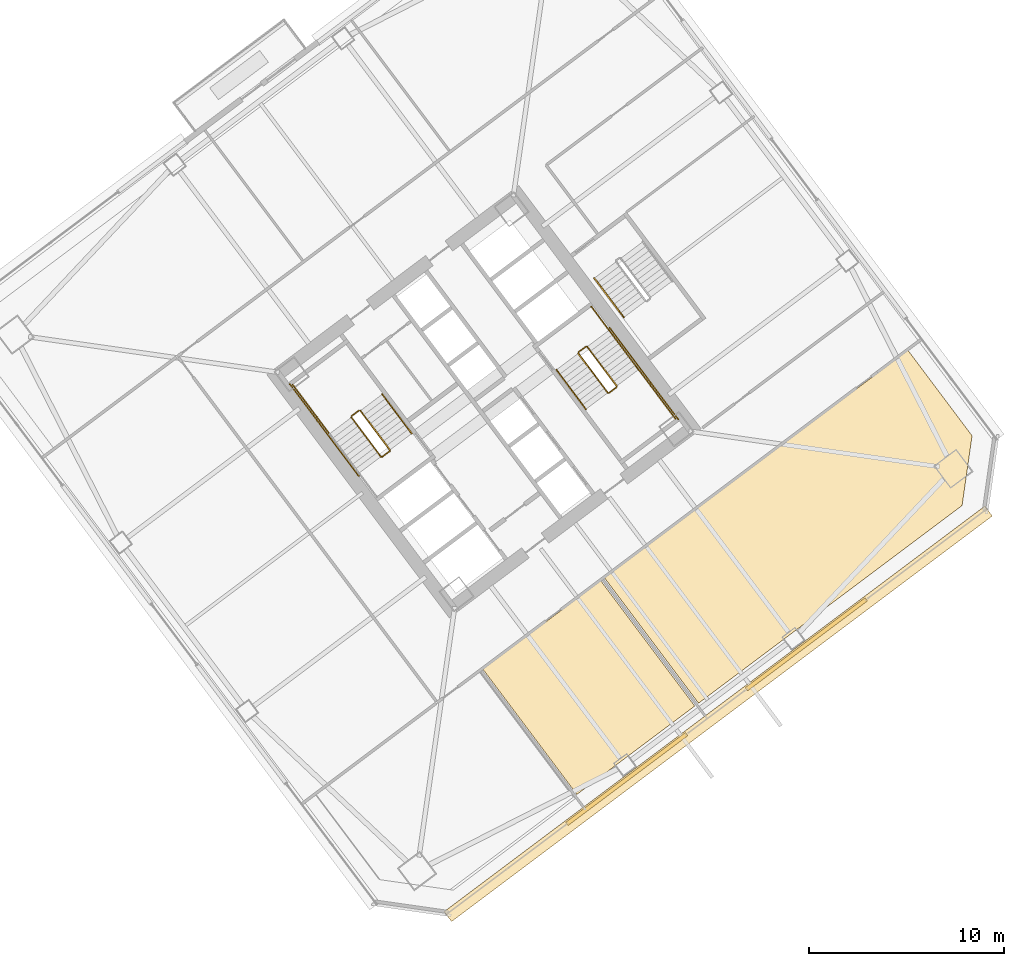
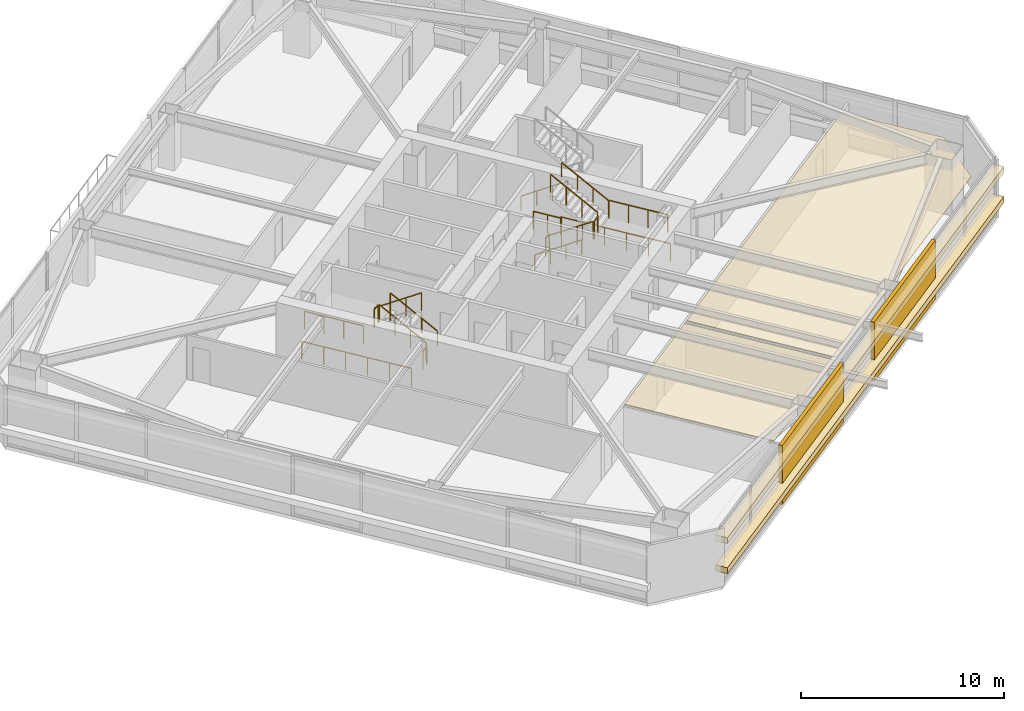
# One storey, part 41 of 44: 17 railings, 6 coverings.
"""IFC4 building model written with IfcOpenShell, lengths in metres."""

from ifc_helpers import new_model, si_unit, direction, frame, origin, origin_2d, place, context, subcontext, project, spatial, polyline, rectangle, outline, extrude, material, layer, layer_set, type_object, element, save


model = new_model("IFC4")

# Units and contexts
model_context = context("Model", 3, precision=1e-05, world=origin(), true_north=direction((0.0, 1.0)))
body_context = subcontext(model_context, "Body", "Model", "MODEL_VIEW")
ifc_project = project(units=[si_unit("LENGTHUNIT", "METRE"), si_unit("AREAUNIT", "SQUARE_METRE"), si_unit("VOLUMEUNIT", "CUBIC_METRE"), si_unit("PLANEANGLEUNIT", "RADIAN"), si_unit("MASSUNIT", "GRAM", prefix="KILO")], contexts=[model_context])

# Site, building, storey
site_placement = place(None, origin())
site = spatial("IfcSite", under=ifc_project, at=site_placement, CompositionType="ELEMENT")
building_placement = place(site_placement, origin())
building = spatial("IfcBuilding", under=site, at=building_placement, Name="Tashvorn Skyway Center", CompositionType="ELEMENT")
storey_placement = place(building_placement, frame((0.0, 0.0, 95.60009765625)))
storey = spatial("IfcBuildingStorey", under=building, at=storey_placement, Name="L25", CompositionType="ELEMENT", Elevation=95.60009765625)

# Coverings
ifc_material_1 = material(Name="Precast concrete C40/50", Category="concrete")
ifc_layer_1 = layer(ifc_material_1, 0.199951171875)
ifc_layer_set_1 = layer_set([ifc_layer_1], Name="Precast concrete C40/50")
covering_type_1 = type_object("IfcCoveringType", Name="COV-BRACE-CLAD", PredefinedType="CLADDING", material=ifc_layer_set_1)
for number, where, z_axis, x_axis, name in (
    (1, (130.535888671875, 19.552001953125, 0.0), (0.0, 0.0, 1.0), (-0.799999996291, -0.600000004945, 0.0), "Tower 2 L25 South Unitised Curtain Wall Mega-Brace Cladding Band 1"),
    (2, (121.320068359375, 12.639892578125, 0.0), (0.0, 0.0, 1.0), (-0.799999996291, -0.600000004945, 0.0), "Tower 2 L25 South Unitised Curtain Wall Mega-Brace Cladding Band 2"),
):
    element("IfcCovering", number, at=place(storey_placement, frame(where, z_axis=z_axis, x_axis=x_axis)), inside=storey, type_object=covering_type_1, Name=name, PredefinedType="CLADDING", context=body_context, shape_type="SweptSolid", body=[
        extrude(rectangle(XDim=7.679931640625, YDim=0.199951171875, at=origin_2d()), origin(), (0.0, 0.0, 1.0), 3.550048828125),
    ])
ifc_material_2 = material(Name="Mineral-fibre acoustic ceiling tile on suspended grid")
ifc_layer_2 = layer(ifc_material_2, 0.02001953125)
ifc_layer_set_2 = layer_set([ifc_layer_2], Name="Mineral-fibre acoustic ceiling tile on suspended grid")
covering_type_2 = type_object("IfcCoveringType", Name="COV-CEIL-20", PredefinedType="CEILING", material=ifc_layer_set_2)
covering_1_placement = place(storey_placement, frame((0.0, 0.0, 2.682861328125)))
element("IfcCovering", 3, at=covering_1_placement, inside=storey, type_object=covering_type_2, Name="Tower 2 L25 Boardroom Acoustic Ceiling", PredefinedType="CEILING", context=body_context, shape_type="SweptSolid", body=[
    extrude(outline(polyline([(113.93994140625, 18.280029296875), (119.988037109375, 22.81591796875), (124.81201171875, 16.384033203125), (118.763916015625, 11.847900390625), (113.93994140625, 18.280029296875)])), origin(), (0.0, 0.0, 1.0), 0.02001953125),
])
covering_2_placement = place(storey_placement, frame((0.0, 0.0, 2.682861328125)))
element("IfcCovering", 4, at=covering_2_placement, inside=storey, type_object=covering_type_2, Name="Tower 2 L25 Boardroom Acoustic Ceiling", PredefinedType="CEILING", context=body_context, shape_type="SweptSolid", body=[
    extrude(outline(polyline([(125.00390625, 16.528076171875), (120.179931640625, 22.9599609375), (135.748046875, 34.635986328125), (139.035888671875, 30.251953125), (138.52392578125, 26.66796875), (125.00390625, 16.528076171875)])), origin(), (0.0, 0.0, 1.0), 0.02001953125),
])
ifc_material_3 = material(Name="Perforated ceramic-coated bronze aluminium solar screen", Category="aluminium")
ifc_layer_3 = layer(ifc_material_3, 0.85009765625)
ifc_layer_set_3 = layer_set([ifc_layer_3], Name="Perforated ceramic-coated bronze aluminium solar screen")
covering_type_3 = type_object("IfcCoveringType", Name="COV-SOLAR-BAND", PredefinedType="CLADDING", material=ifc_layer_set_3)
for number, where, z_axis, x_axis, name in (
    (5, (126.011962890625, 15.98388671875, 0.919921875), (0.0, 0.0, 1.0), (-0.799999996291, -0.600000004945, 0.0), "L25 Perforated Ceramic-Metal Solar Screen Louvre Band South 1"),
    (6, (126.011962890625, 15.98388671875, 2.7197265625), (0.0, 0.0, 1.0), (-0.799999996291, -0.600000004945, 0.0), "L25 Perforated Ceramic-Metal Solar Screen Louvre Band South 2"),
):
    element("IfcCovering", number, at=place(storey_placement, frame(where, z_axis=z_axis, x_axis=x_axis)), inside=storey, type_object=covering_type_3, Name=name, PredefinedType="CLADDING", context=body_context, shape_type="SweptSolid", body=[
        extrude(rectangle(XDim=34.679931640625, YDim=0.639892578125, at=origin_2d()), origin(), (0.0, 0.0, 1.0), 0.360107421875),
    ])

# Railings
ifc_material_4 = material(Name="Brushed stainless steel 316", Category="steel")
railing_type_1 = type_object("IfcRailingType", Name="RAIL-HAND-920", PredefinedType="HANDRAIL", material=ifc_material_4)
railing_1_placement = place(storey_placement, frame((110.2880859375, 30.365966796875, 0.177490234375)))
element("IfcRailing", 7, at=railing_1_placement, inside=storey, type_object=railing_type_1, Name="L25 ST-T2-1 stair handrail 1", PredefinedType="HANDRAIL", context=body_context, shape_type="SweptSolid", body=[
    extrude(rectangle(XDim=0.048095703125, YDim=0.048095703125, at=origin_2d()), frame((0.0, 0.0, 0.8759765625), z_axis=(-0.506801609611, 0.675680931896, 0.535357270211), x_axis=(-0.799976749893, -0.600030998891, 0.0)), (0.0, 0.0, 1.0), 2.98388671875),
    extrude(rectangle(XDim=0.0419921875, YDim=0.0419921875, at=origin_2d()), origin(), (0.0, 0.0, 1.0), 0.851806640625),
    extrude(rectangle(XDim=0.0419921875, YDim=0.0419921875, at=origin_2d()), frame((-0.504150390625, 0.672119140625, 0.532470703125)), (0.0, 0.0, 1.0), 0.851806640625),
    extrude(rectangle(XDim=0.0419921875, YDim=0.0419921875, at=origin_2d()), frame((-1.008056640625, 1.343994140625, 1.06494140625)), (0.0, 0.0, 1.0), 0.851806640625),
    extrude(rectangle(XDim=0.0419921875, YDim=0.0419921875, at=origin_2d()), frame((-1.51220703125, 2.01611328125, 1.597412109375)), (0.0, 0.0, 1.0), 0.851806640625),
])
railing_2_placement = place(storey_placement, frame((117.7119140625, 33.634033203125, 0.177490234375)))
element("IfcRailing", 8, at=railing_2_placement, inside=storey, type_object=railing_type_1, Name="L25 ST-T2-2 stair handrail 1", PredefinedType="HANDRAIL", context=body_context, shape_type="SweptSolid", body=[
    extrude(rectangle(XDim=0.048095703125, YDim=0.048095703125, at=origin_2d()), frame((0.0, 0.0, 0.8759765625), z_axis=(0.506801609611, -0.675680931896, 0.535357270211), x_axis=(0.799976749893, 0.600030998891, 0.0)), (0.0, 0.0, 1.0), 2.98388671875),
    extrude(rectangle(XDim=0.0419921875, YDim=0.0419921875, at=origin_2d()), origin(), (0.0, 0.0, 1.0), 0.851806640625),
    extrude(rectangle(XDim=0.0419921875, YDim=0.0419921875, at=origin_2d()), frame((0.504150390625, -0.672119140625, 0.532470703125)), (0.0, 0.0, 1.0), 0.851806640625),
    extrude(rectangle(XDim=0.0419921875, YDim=0.0419921875, at=origin_2d()), frame((1.008056640625, -1.343994140625, 1.06494140625)), (0.0, 0.0, 1.0), 0.851806640625),
    extrude(rectangle(XDim=0.0419921875, YDim=0.0419921875, at=origin_2d()), frame((1.51220703125, -2.01611328125, 1.597412109375)), (0.0, 0.0, 1.0), 0.851806640625),
])
railing_3_placement = place(storey_placement, frame((121.927978515625, 33.64599609375, 1.952392578125)))
element("IfcRailing", 9, at=railing_3_placement, inside=storey, type_object=railing_type_1, Name="L25 ST-T2-2 stair handrail 2", PredefinedType="HANDRAIL", context=body_context, shape_type="SweptSolid", body=[
    extrude(rectangle(XDim=0.048095703125, YDim=0.048095703125, at=origin_2d()), frame((0.0, 0.0, 0.8759765625), z_axis=(-0.506740800098, 0.675708949977, 0.535379469569), x_axis=(-0.800023250257, -0.599968998406, 0.0)), (0.0, 0.0, 1.0), 2.983642578125),
    extrude(rectangle(XDim=0.0419921875, YDim=0.0419921875, at=origin_2d()), origin(), (0.0, 0.0, 1.0), 0.851806640625),
    extrude(rectangle(XDim=0.0419921875, YDim=0.0419921875, at=origin_2d()), frame((-0.50390625, 0.672119140625, 0.532470703125)), (0.0, 0.0, 1.0), 0.851806640625),
    extrude(rectangle(XDim=0.0419921875, YDim=0.0419921875, at=origin_2d()), frame((-1.008056640625, 1.343994140625, 1.06494140625)), (0.0, 0.0, 1.0), 0.851806640625),
    extrude(rectangle(XDim=0.0419921875, YDim=0.0419921875, at=origin_2d()), frame((-1.511962890625, 2.01611328125, 1.597412109375)), (0.0, 0.0, 1.0), 0.851806640625),
])
railing_4_placement = place(storey_placement, frame((119.656005859375, 38.342041015625, 0.177490234375)))
element("IfcRailing", 10, at=railing_4_placement, inside=storey, type_object=railing_type_1, Name="L25 ST-T2-3 stair handrail 1", PredefinedType="HANDRAIL", context=body_context, shape_type="SweptSolid", body=[
    extrude(rectangle(XDim=0.048095703125, YDim=0.048095703125, at=origin_2d()), frame((0.0, 0.0, 0.8759765625), z_axis=(0.506740800098, -0.675708949977, 0.535379469569), x_axis=(0.800023250257, 0.599968998406, 0.0)), (0.0, 0.0, 1.0), 2.983642578125),
    extrude(rectangle(XDim=0.0419921875, YDim=0.0419921875, at=origin_2d()), origin(), (0.0, 0.0, 1.0), 0.851806640625),
    extrude(rectangle(XDim=0.0419921875, YDim=0.0419921875, at=origin_2d()), frame((0.50390625, -0.672119140625, 0.532470703125)), (0.0, 0.0, 1.0), 0.851806640625),
    extrude(rectangle(XDim=0.0419921875, YDim=0.0419921875, at=origin_2d()), frame((1.008056640625, -1.343994140625, 1.06494140625)), (0.0, 0.0, 1.0), 0.851806640625),
    extrude(rectangle(XDim=0.0419921875, YDim=0.0419921875, at=origin_2d()), frame((1.511962890625, -2.01611328125, 1.597412109375)), (0.0, 0.0, 1.0), 0.851806640625),
])
ifc_material_5 = material(Name="Painted galvanized steel S355", Category="steel")
railing_type_2 = type_object("IfcRailingType", Name="RAIL-STGUARD-1100", PredefinedType="GUARDRAIL", material=ifc_material_5)
railing_5_placement = place(storey_placement, frame((109.16796875, 29.52587890625, 0.177490234375)))
element("IfcRailing", 11, at=railing_5_placement, inside=storey, type_object=railing_type_2, Name="L25 ST-T2-1 stair guard 1", PredefinedType="GUARDRAIL", context=body_context, shape_type="SweptSolid", body=[
    extrude(rectangle(XDim=0.048095703125, YDim=0.048095703125, at=origin_2d()), frame((0.0, 0.0, 1.076171875), z_axis=(-0.506740800098, 0.675708949977, 0.535379469569), x_axis=(-0.800023250257, -0.599968998406, 0.0)), (0.0, 0.0, 1.0), 2.983642578125),
    extrude(rectangle(XDim=0.0419921875, YDim=0.0419921875, at=origin_2d()), origin(), (0.0, 0.0, 1.0), 1.052001953125),
    extrude(rectangle(XDim=0.0419921875, YDim=0.0419921875, at=origin_2d()), frame((-0.50390625, 0.672119140625, 0.532470703125)), (0.0, 0.0, 1.0), 1.052001953125),
    extrude(rectangle(XDim=0.0419921875, YDim=0.0419921875, at=origin_2d()), frame((-1.008056640625, 1.343994140625, 1.06494140625)), (0.0, 0.0, 1.0), 1.052001953125),
    extrude(rectangle(XDim=0.0419921875, YDim=0.0419921875, at=origin_2d()), frame((-1.511962890625, 2.01611328125, 1.597412109375)), (0.0, 0.0, 1.0), 1.052001953125),
])
railing_6_placement = place(storey_placement, frame((107.5859375, 31.552001953125, 1.77490234375)))
element("IfcRailing", 12, at=railing_6_placement, inside=storey, type_object=railing_type_2, Name="L25 ST-T2-1 stair guard 2", PredefinedType="GUARDRAIL", context=body_context, shape_type="SweptSolid", body=[
    extrude(rectangle(XDim=0.048095703125, YDim=0.048095703125, at=origin_2d()), frame((0.0, 0.0, 1.076171875), z_axis=(-0.799938970639, -0.600081363861, 0.0), x_axis=(0.600081363861, -0.799938970639, 0.0)), (0.0, 0.0, 1.0), 0.47998046875),
    extrude(rectangle(XDim=0.0419921875, YDim=0.0419921875, at=origin_2d()), origin(), (0.0, 0.0, 1.0), 1.052001953125),
    extrude(rectangle(XDim=0.0419921875, YDim=0.0419921875, at=origin_2d()), frame((-0.384033203125, -0.2880859375, 0.0)), (0.0, 0.0, 1.0), 1.052001953125),
])
railing_7_placement = place(storey_placement, frame((106.072021484375, 30.35400390625, 1.77490234375)))
element("IfcRailing", 13, at=railing_7_placement, inside=storey, type_object=railing_type_2, Name="L25 ST-T2-1 stair guard 3", PredefinedType="GUARDRAIL", context=body_context, shape_type="SweptSolid", body=[
    extrude(rectangle(XDim=0.048095703125, YDim=0.048095703125, at=origin_2d()), frame((0.0, 0.0, 1.076171875), z_axis=(-0.599987638607, 0.800009270896, 0.0), x_axis=(-0.800009270896, -0.599987638607, 0.0)), (0.0, 0.0, 1.0), 3.16015625),
    extrude(rectangle(XDim=0.0419921875, YDim=0.0419921875, at=origin_2d()), origin(), (0.0, 0.0, 1.0), 1.052001953125),
    extrude(rectangle(XDim=0.0419921875, YDim=0.0419921875, at=origin_2d()), frame((-0.632080078125, 0.8427734375, 0.0)), (0.0, 0.0, 1.0), 1.052001953125),
    extrude(rectangle(XDim=0.0419921875, YDim=0.0419921875, at=origin_2d()), frame((-1.263916015625, 1.685302734375, 0.0)), (0.0, 0.0, 1.0), 1.052001953125),
    extrude(rectangle(XDim=0.0419921875, YDim=0.0419921875, at=origin_2d()), frame((-1.89599609375, 2.528076171875, 0.0)), (0.0, 0.0, 1.0), 1.052001953125),
])
railing_8_placement = place(storey_placement, frame((107.19189453125, 31.194091796875, 1.952392578125)))
element("IfcRailing", 14, at=railing_8_placement, inside=storey, type_object=railing_type_2, Name="L25 ST-T2-1 stair guard 4", PredefinedType="GUARDRAIL", context=body_context, shape_type="SweptSolid", body=[
    extrude(rectangle(XDim=0.048095703125, YDim=0.048095703125, at=origin_2d()), frame((0.0, 0.0, 1.076171875), z_axis=(0.506801609611, -0.675680931896, 0.535357270211), x_axis=(0.799976749893, 0.600030998891, 0.0)), (0.0, 0.0, 1.0), 2.98388671875),
    extrude(rectangle(XDim=0.0419921875, YDim=0.0419921875, at=origin_2d()), origin(), (0.0, 0.0, 1.0), 1.052001953125),
    extrude(rectangle(XDim=0.0419921875, YDim=0.0419921875, at=origin_2d()), frame((0.504150390625, -0.672119140625, 0.532470703125)), (0.0, 0.0, 1.0), 1.052001953125),
    extrude(rectangle(XDim=0.0419921875, YDim=0.0419921875, at=origin_2d()), frame((1.008056640625, -1.343994140625, 1.06494140625)), (0.0, 0.0, 1.0), 1.052001953125),
    extrude(rectangle(XDim=0.0419921875, YDim=0.0419921875, at=origin_2d()), frame((1.51220703125, -2.01611328125, 1.597412109375)), (0.0, 0.0, 1.0), 1.052001953125),
])
railing_9_placement = place(storey_placement, frame((109.157958984375, 29.4560546875, 0.0)))
element("IfcRailing", 15, at=railing_9_placement, inside=storey, type_object=railing_type_2, Name="L25 ST-T2-1 stair guard 5", PredefinedType="GUARDRAIL", context=body_context, shape_type="SweptSolid", body=[
    extrude(rectangle(XDim=0.048095703125, YDim=0.048095703125, at=origin_2d()), frame((0.0, 0.0, 1.076171875), z_axis=(-0.799938970639, -0.600081363861, 0.0), x_axis=(0.600081363861, -0.799938970639, 0.0)), (0.0, 0.0, 1.0), 0.47998046875),
    extrude(rectangle(XDim=0.0419921875, YDim=0.0419921875, at=origin_2d()), origin(), (0.0, 0.0, 1.0), 1.052001953125),
    extrude(rectangle(XDim=0.0419921875, YDim=0.0419921875, at=origin_2d()), frame((-0.384033203125, -0.2880859375, 0.0)), (0.0, 0.0, 1.0), 1.052001953125),
])
railing_10_placement = place(storey_placement, frame((107.56396484375, 28.197998046875, 0.0)))
element("IfcRailing", 16, at=railing_10_placement, inside=storey, type_object=railing_type_2, Name="L25 ST-T2-1 stair guard 7", PredefinedType="GUARDRAIL", context=body_context, shape_type="SweptSolid", body=[
    extrude(rectangle(XDim=0.048095703125, YDim=0.048095703125, at=origin_2d()), frame((0.0, 0.0, 1.076171875), z_axis=(-0.6, 0.8, 0.0), x_axis=(-0.8, -0.6, 0.0)), (0.0, 0.0, 1.0), 5.880126953125),
    extrude(rectangle(XDim=0.0419921875, YDim=0.0419921875, at=origin_2d()), origin(), (0.0, 0.0, 1.0), 1.052001953125),
    extrude(rectangle(XDim=0.0419921875, YDim=0.0419921875, at=origin_2d()), frame((-0.70556640625, 0.94091796875, 0.0)), (0.0, 0.0, 1.0), 1.052001953125),
    extrude(rectangle(XDim=0.0419921875, YDim=0.0419921875, at=origin_2d()), frame((-1.4111328125, 1.881591796875, 0.0)), (0.0, 0.0, 1.0), 1.052001953125),
    extrude(rectangle(XDim=0.0419921875, YDim=0.0419921875, at=origin_2d()), frame((-2.116943359375, 2.822509765625, 0.0)), (0.0, 0.0, 1.0), 1.052001953125),
    extrude(rectangle(XDim=0.0419921875, YDim=0.0419921875, at=origin_2d()), frame((-2.822509765625, 3.76318359375, 0.0)), (0.0, 0.0, 1.0), 1.052001953125),
    extrude(rectangle(XDim=0.0419921875, YDim=0.0419921875, at=origin_2d()), frame((-3.528076171875, 4.7041015625, 0.0)), (0.0, 0.0, 1.0), 1.052001953125),
])
railing_11_placement = place(storey_placement, frame((118.83203125, 34.47412109375, 0.177490234375)))
element("IfcRailing", 17, at=railing_11_placement, inside=storey, type_object=railing_type_2, Name="L25 ST-T2-2 stair guard 1", PredefinedType="GUARDRAIL", context=body_context, shape_type="SweptSolid", body=[
    extrude(rectangle(XDim=0.048095703125, YDim=0.048095703125, at=origin_2d()), frame((0.0, 0.0, 1.076171875), z_axis=(0.506740800098, -0.675708949977, 0.535379469569), x_axis=(0.800023250257, 0.599968998406, 0.0)), (0.0, 0.0, 1.0), 2.983642578125),
    extrude(rectangle(XDim=0.0419921875, YDim=0.0419921875, at=origin_2d()), origin(), (0.0, 0.0, 1.0), 1.052001953125),
    extrude(rectangle(XDim=0.0419921875, YDim=0.0419921875, at=origin_2d()), frame((0.50390625, -0.672119140625, 0.532470703125)), (0.0, 0.0, 1.0), 1.052001953125),
    extrude(rectangle(XDim=0.0419921875, YDim=0.0419921875, at=origin_2d()), frame((1.008056640625, -1.343994140625, 1.06494140625)), (0.0, 0.0, 1.0), 1.052001953125),
    extrude(rectangle(XDim=0.0419921875, YDim=0.0419921875, at=origin_2d()), frame((1.511962890625, -2.01611328125, 1.597412109375)), (0.0, 0.0, 1.0), 1.052001953125),
])
railing_12_placement = place(storey_placement, frame((120.4140625, 32.447998046875, 1.77490234375)))
element("IfcRailing", 18, at=railing_12_placement, inside=storey, type_object=railing_type_2, Name="L25 ST-T2-2 stair guard 2", PredefinedType="GUARDRAIL", context=body_context, shape_type="SweptSolid", body=[
    extrude(rectangle(XDim=0.048095703125, YDim=0.048095703125, at=origin_2d()), frame((0.0, 0.0, 1.076171875), z_axis=(0.799938970639, 0.600081363861, 0.0), x_axis=(-0.600081363861, 0.799938970639, 0.0)), (0.0, 0.0, 1.0), 0.47998046875),
    extrude(rectangle(XDim=0.0419921875, YDim=0.0419921875, at=origin_2d()), origin(), (0.0, 0.0, 1.0), 1.052001953125),
    extrude(rectangle(XDim=0.0419921875, YDim=0.0419921875, at=origin_2d()), frame((0.384033203125, 0.2880859375, 0.0)), (0.0, 0.0, 1.0), 1.052001953125),
])
railing_13_placement = place(storey_placement, frame((121.927978515625, 33.64599609375, 1.77490234375)))
element("IfcRailing", 19, at=railing_13_placement, inside=storey, type_object=railing_type_2, Name="L25 ST-T2-2 stair guard 3", PredefinedType="GUARDRAIL", context=body_context, shape_type="SweptSolid", body=[
    extrude(rectangle(XDim=0.048095703125, YDim=0.048095703125, at=origin_2d()), frame((0.0, 0.0, 1.076171875), z_axis=(0.599987638607, -0.800009270896, 0.0), x_axis=(0.800009270896, 0.599987638607, 0.0)), (0.0, 0.0, 1.0), 3.16015625),
    extrude(rectangle(XDim=0.0419921875, YDim=0.0419921875, at=origin_2d()), origin(), (0.0, 0.0, 1.0), 1.052001953125),
    extrude(rectangle(XDim=0.0419921875, YDim=0.0419921875, at=origin_2d()), frame((0.632080078125, -0.8427734375, 0.0)), (0.0, 0.0, 1.0), 1.052001953125),
    extrude(rectangle(XDim=0.0419921875, YDim=0.0419921875, at=origin_2d()), frame((1.263916015625, -1.685302734375, 0.0)), (0.0, 0.0, 1.0), 1.052001953125),
    extrude(rectangle(XDim=0.0419921875, YDim=0.0419921875, at=origin_2d()), frame((1.89599609375, -2.528076171875, 0.0)), (0.0, 0.0, 1.0), 1.052001953125),
])
railing_14_placement = place(storey_placement, frame((120.80810546875, 32.805908203125, 1.952392578125)))
element("IfcRailing", 20, at=railing_14_placement, inside=storey, type_object=railing_type_2, Name="L25 ST-T2-2 stair guard 4", PredefinedType="GUARDRAIL", context=body_context, shape_type="SweptSolid", body=[
    extrude(rectangle(XDim=0.048095703125, YDim=0.048095703125, at=origin_2d()), frame((0.0, 0.0, 1.076171875), z_axis=(-0.506801609611, 0.675680931896, 0.535357270211), x_axis=(-0.799976749893, -0.600030998891, 0.0)), (0.0, 0.0, 1.0), 2.98388671875),
    extrude(rectangle(XDim=0.0419921875, YDim=0.0419921875, at=origin_2d()), origin(), (0.0, 0.0, 1.0), 1.052001953125),
    extrude(rectangle(XDim=0.0419921875, YDim=0.0419921875, at=origin_2d()), frame((-0.504150390625, 0.672119140625, 0.532470703125)), (0.0, 0.0, 1.0), 1.052001953125),
    extrude(rectangle(XDim=0.0419921875, YDim=0.0419921875, at=origin_2d()), frame((-1.008056640625, 1.343994140625, 1.06494140625)), (0.0, 0.0, 1.0), 1.052001953125),
    extrude(rectangle(XDim=0.0419921875, YDim=0.0419921875, at=origin_2d()), frame((-1.51220703125, 2.01611328125, 1.597412109375)), (0.0, 0.0, 1.0), 1.052001953125),
])
railing_15_placement = place(storey_placement, frame((118.842041015625, 34.5439453125, 0.0)))
element("IfcRailing", 21, at=railing_15_placement, inside=storey, type_object=railing_type_2, Name="L25 ST-T2-2 stair guard 5", PredefinedType="GUARDRAIL", context=body_context, shape_type="SweptSolid", body=[
    extrude(rectangle(XDim=0.048095703125, YDim=0.048095703125, at=origin_2d()), frame((0.0, 0.0, 1.076171875), z_axis=(0.799938970639, 0.600081363861, 0.0), x_axis=(-0.600081363861, 0.799938970639, 0.0)), (0.0, 0.0, 1.0), 0.47998046875),
    extrude(rectangle(XDim=0.0419921875, YDim=0.0419921875, at=origin_2d()), origin(), (0.0, 0.0, 1.0), 1.052001953125),
    extrude(rectangle(XDim=0.0419921875, YDim=0.0419921875, at=origin_2d()), frame((0.384033203125, 0.2880859375, 0.0)), (0.0, 0.0, 1.0), 1.052001953125),
])
railing_16_placement = place(storey_placement, frame((119.50390625, 36.8779296875, 0.0)))
element("IfcRailing", 22, at=railing_16_placement, inside=storey, type_object=railing_type_2, Name="L25 ST-T2-2 stair guard 6", PredefinedType="GUARDRAIL", context=body_context, shape_type="SweptSolid", body=[
    extrude(rectangle(XDim=0.048095703125, YDim=0.048095703125, at=origin_2d()), frame((0.0, 0.0, 1.076171875), z_axis=(0.600102796382, -0.799922892393, 0.0), x_axis=(0.799922892393, 0.600102796382, 0.0)), (0.0, 0.0, 1.0), 1.52001953125),
    extrude(rectangle(XDim=0.0419921875, YDim=0.0419921875, at=origin_2d()), origin(), (0.0, 0.0, 1.0), 1.052001953125),
    extrude(rectangle(XDim=0.0419921875, YDim=0.0419921875, at=origin_2d()), frame((0.4560546875, -0.60791015625, 0.0)), (0.0, 0.0, 1.0), 1.052001953125),
    extrude(rectangle(XDim=0.0419921875, YDim=0.0419921875, at=origin_2d()), frame((0.912109375, -1.2158203125, 0.0)), (0.0, 0.0, 1.0), 1.052001953125),
])
railing_17_placement = place(storey_placement, frame((120.43603515625, 35.802001953125, 0.0)))
element("IfcRailing", 23, at=railing_17_placement, inside=storey, type_object=railing_type_2, Name="L25 ST-T2-2 stair guard 7", PredefinedType="GUARDRAIL", context=body_context, shape_type="SweptSolid", body=[
    extrude(rectangle(XDim=0.048095703125, YDim=0.048095703125, at=origin_2d()), frame((0.0, 0.0, 1.076171875), z_axis=(0.6, -0.8, 0.0), x_axis=(0.8, 0.6, 0.0)), (0.0, 0.0, 1.0), 5.880126953125),
    extrude(rectangle(XDim=0.0419921875, YDim=0.0419921875, at=origin_2d()), origin(), (0.0, 0.0, 1.0), 1.052001953125),
    extrude(rectangle(XDim=0.0419921875, YDim=0.0419921875, at=origin_2d()), frame((0.70556640625, -0.94091796875, 0.0)), (0.0, 0.0, 1.0), 1.052001953125),
    extrude(rectangle(XDim=0.0419921875, YDim=0.0419921875, at=origin_2d()), frame((1.4111328125, -1.881591796875, 0.0)), (0.0, 0.0, 1.0), 1.052001953125),
    extrude(rectangle(XDim=0.0419921875, YDim=0.0419921875, at=origin_2d()), frame((2.116943359375, -2.822509765625, 0.0)), (0.0, 0.0, 1.0), 1.052001953125),
    extrude(rectangle(XDim=0.0419921875, YDim=0.0419921875, at=origin_2d()), frame((2.822509765625, -3.76318359375, 0.0)), (0.0, 0.0, 1.0), 1.052001953125),
    extrude(rectangle(XDim=0.0419921875, YDim=0.0419921875, at=origin_2d()), frame((3.528076171875, -4.7041015625, 0.0)), (0.0, 0.0, 1.0), 1.052001953125),
])

save(model, "model.ifc")
